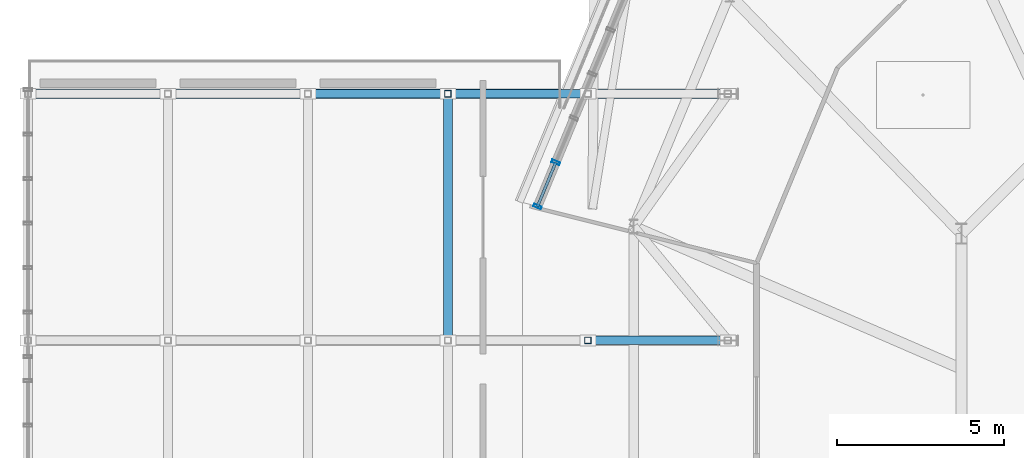
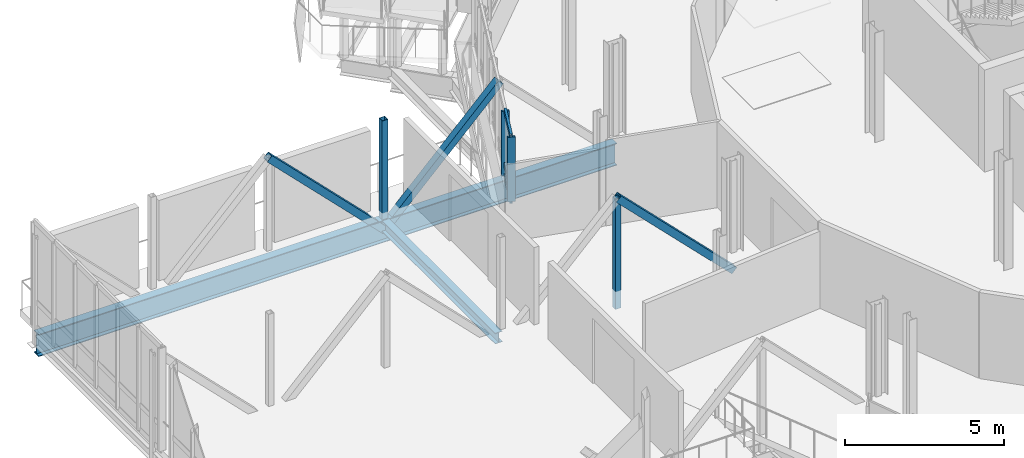
# One storey, part 42 of 107: 10 members, 2 beams, 1 element without a shape of its own.
"""IFC4 building model written with IfcOpenShell, lengths in metres."""

from ifc_helpers import new_model, si_unit, derived_unit, direction, frame, origin, origin_2d, place, context, subcontext, project, spatial, hollow_rectangle, i_section, extrude, material, layer, layer_set, material_profile, profile_set, type_object, element, aggregate, save


model = new_model("IFC4")

# Units and contexts
model_context = context("Model", 3, precision=1e-05, world=origin(), true_north=direction((0.0, 1.0)))
body_context = subcontext(model_context, "Body", "Model", "MODEL_VIEW")
ifc_project = project(units=[si_unit("LENGTHUNIT", "METRE"), si_unit("AREAUNIT", "SQUARE_METRE"), si_unit("VOLUMEUNIT", "CUBIC_METRE"), si_unit("PLANEANGLEUNIT", "RADIAN"), si_unit("MASSUNIT", "GRAM", prefix="KILO"), derived_unit("THERMALTRANSMITTANCEUNIT", [(si_unit("MASSUNIT", "GRAM", prefix="KILO"), 1), (si_unit("TIMEUNIT", "SECOND"), -3), (si_unit("THERMODYNAMICTEMPERATUREUNIT", "KELVIN"), -1)])], contexts=[model_context])

# Site, building, storey
site_placement = place(None, origin())
site = spatial("IfcSite", under=ifc_project, at=site_placement, CompositionType="ELEMENT")
building_placement = place(site_placement, origin())
building = spatial("IfcBuilding", under=site, at=building_placement, Name="Makaiwela Harbour Ferry Terminal", CompositionType="ELEMENT")
storey_placement = place(building_placement, frame((0.0, 0.0, 9.60009765625)))
storey = spatial("IfcBuildingStorey", under=building, at=storey_placement, Name="L02", CompositionType="ELEMENT", Elevation=9.60009765625)

# Curtain wall, members
ifc_material_1 = material(Name="Marine anodised aluminium 6063-T6", Category="aluminium")
ifc_layer = layer(ifc_material_1, 0.199951171875)
ifc_layer_set = layer_set([ifc_layer], Name="Marine anodised aluminium 6063-T6")
curtain_wall_type = type_object("IfcCurtainWallType", Name="ENV-CW-04", PredefinedType="USERDEFINED", material=ifc_layer_set)
curtain_wall_placement = place(storey_placement, origin())
curtain_wall = element("IfcCurtainWall", 1, at=curtain_wall_placement, inside=storey, type_object=curtain_wall_type, Name="Unitised Curtain Wall CWA-024", ObjectType="UNITIZED CURTAIN WALL", PredefinedType="USERDEFINED")
ifc_material_profile_1 = material_profile(ifc_material_1, hollow_rectangle(XDim=0.0849609375, YDim=0.25, WallThickness=0.0048828125, at=origin_2d()), Name="CWM-250X85")
ifc_profile_set_1 = profile_set([ifc_material_profile_1], Name="Marine anodised aluminium 6063-T6")
member_type_1 = type_object("IfcMemberType", Name="CW-MUL-250", PredefinedType="MULLION", material=ifc_profile_set_1)
member_1_placement = place(storey_placement, frame((15.836669921875, 73.793212890625, 1.47998046875), z_axis=(0.0, 0.0, 1.0), x_axis=(0.382683432365, 0.923879532511, 0.0)))
member_1 = element("IfcMember", 2, at=member_1_placement, type_object=member_type_1, Name="Curtain Wall Mullion CWA-024-6", PredefinedType="MULLION", context=body_context, shape_type="SweptSolid", body=[
    extrude(hollow_rectangle(XDim=0.0849609375, YDim=0.25, WallThickness=0.0048828125, at=origin_2d()), origin(), (0.0, 0.0, 1.0), 2.47998046875),
])
member_2_placement = place(storey_placement, frame((15.2880859375, 72.46875, 1.47998046875), z_axis=(0.0, 0.0, 1.0), x_axis=(0.382683432365, 0.923879532511, 0.0)))
member_2 = element("IfcMember", 3, at=member_2_placement, type_object=member_type_1, Name="Curtain Wall Mullion CWA-024-7", PredefinedType="MULLION", context=body_context, shape_type="SweptSolid", body=[
    extrude(hollow_rectangle(XDim=0.0849609375, YDim=0.25, WallThickness=0.0048828125, at=origin_2d()), origin(), (0.0, 0.0, 1.0), 2.47998046875),
])
ifc_material_profile_2 = material_profile(ifc_material_1, hollow_rectangle(XDim=0.0849609375, YDim=0.199951171875, WallThickness=0.0048828125, at=origin_2d()), Name="CWT-200X85")
ifc_profile_set_2 = profile_set([ifc_material_profile_2], Name="Marine anodised aluminium 6063-T6")
member_type_2 = type_object("IfcMemberType", Name="CW-TRN-200", PredefinedType="USERDEFINED", material=ifc_profile_set_2)
member_3_placement = place(storey_placement, frame((15.836669921875, 73.793212890625, 1.47998046875), z_axis=(-0.382667649558, -0.923886069806, 0.0), x_axis=(0.923886069806, -0.382667649558, 0.0)))
member_3 = element("IfcMember", 4, at=member_3_placement, type_object=member_type_2, Name="Curtain Wall Transom CWA-024-6-1", ObjectType="TRANSOM", PredefinedType="USERDEFINED", context=body_context, shape_type="SweptSolid", body=[
    extrude(hollow_rectangle(XDim=0.0849609375, YDim=0.199951171875, WallThickness=0.0048828125, at=origin_2d()), origin(), (0.0, 0.0, 1.0), 1.43359375),
])
member_4_placement = place(storey_placement, frame((15.836669921875, 73.793212890625, 1.89990234375), z_axis=(-0.382667649558, -0.923886069806, 0.0), x_axis=(0.923886069806, -0.382667649558, 0.0)))
member_4 = element("IfcMember", 5, at=member_4_placement, type_object=member_type_2, Name="Curtain Wall Transom CWA-024-6-2", ObjectType="TRANSOM", PredefinedType="USERDEFINED", context=body_context, shape_type="SweptSolid", body=[
    extrude(hollow_rectangle(XDim=0.0849609375, YDim=0.199951171875, WallThickness=0.0048828125, at=origin_2d()), origin(), (0.0, 0.0, 1.0), 1.43359375),
])
member_5_placement = place(storey_placement, frame((15.836669921875, 73.793212890625, 3.9599609375), z_axis=(-0.382667649558, -0.923886069806, 0.0), x_axis=(0.923886069806, -0.382667649558, 0.0)))
member_5 = element("IfcMember", 6, at=member_5_placement, type_object=member_type_2, Name="Curtain Wall Transom CWA-024-6-3", ObjectType="TRANSOM", PredefinedType="USERDEFINED", context=body_context, shape_type="SweptSolid", body=[
    extrude(hollow_rectangle(XDim=0.0849609375, YDim=0.199951171875, WallThickness=0.0048828125, at=origin_2d()), origin(), (0.0, 0.0, 1.0), 1.43359375),
])
aggregate(curtain_wall, [member_1, member_2, member_3, member_4, member_5])

# Members
ifc_material_2 = material(Name="Steel ASTM A500 Grade C", Category="steel")
ifc_material_profile_3 = material_profile(ifc_material_2, hollow_rectangle(XDim=0.25390625, YDim=0.25390625, WallThickness=0.0146484375, at=origin_2d()), Name="HSS10X10X5/8")
ifc_profile_set_3 = profile_set([ifc_material_profile_3], Name="Steel ASTM A500 Grade C")
member_type_3 = type_object("IfcMemberType", Name="STR-BRC-HSS10", PredefinedType="BRACE", material=ifc_profile_set_3)
for number, where, z_axis, x_axis, name in (
    (7, (21.0, 68.449951171875, -0.685546875), (-0.705423542875, 0.0, 0.708786022124), (0.0, -1.0, 0.0), "Structural Member BR-01"),
    (8, (16.800048828125, 75.85009765625, 3.534423828125), (-0.705423542875, 0.0, -0.708786022124), (0.0, -1.0, 0.0), "Structural Member BR-01"),
    (9, (12.60009765625, 75.85009765625, -0.685546875), (-0.7054441424, 0.0, 0.708765519727), (0.0, -1.0, 0.0), "Structural Member BR-01"),
):
    element("IfcMember", number, at=place(storey_placement, frame(where, z_axis=z_axis, x_axis=x_axis)), inside=storey, type_object=member_type_3, Name=name, PredefinedType="BRACE", context=body_context, shape_type="SweptSolid", body=[
        extrude(hollow_rectangle(XDim=0.25390625, YDim=0.25390625, WallThickness=0.0146484375, at=origin_2d()), origin(), (0.0, 0.0, 1.0), 5.953857421875),
    ])

# Beams
ifc_material_3 = material(Name="Steel ASTM A992 Grade 50", Category="steel")
ifc_material_profile_4 = material_profile(ifc_material_3, i_section(OverallWidth=0.2939453125, OverallDepth=0.85107421875, WebThickness=0.01611328125, FlangeThickness=0.02685546875, at=origin_2d()), Name="W33X152")
ifc_profile_set_4 = profile_set([ifc_material_profile_4], Name="Steel ASTM A992 Grade 50")
beam_type_1 = type_object("IfcBeamType", Name="STR-GRD-W33X152", PredefinedType="USERDEFINED", material=ifc_profile_set_4)
beam_1_placement = place(storey_placement, frame((0.0, 75.85009765625, -0.685546875), z_axis=(1.0, 0.0, 0.0), x_axis=(0.0, 1.0, 0.0)))
element("IfcBeam", 10, at=beam_1_placement, inside=storey, type_object=beam_type_1, Name="West bridge truss middle chord 3", ObjectType="GIRDER", PredefinedType="USERDEFINED", context=body_context, shape_type="SweptSolid", body=[
    extrude(i_section(OverallWidth=0.2939453125, OverallDepth=0.85107421875, WebThickness=0.01611328125, FlangeThickness=0.02685546875, at=origin_2d()), origin(), (0.0, 0.0, 1.0), 21.0),
])
ifc_material_profile_5 = material_profile(ifc_material_3, i_section(OverallWidth=0.260986328125, OverallDepth=0.4189453125, WebThickness=0.01171875, FlangeThickness=0.019287109375, at=origin_2d()), Name="W16X77")
ifc_profile_set_5 = profile_set([ifc_material_profile_5], Name="Steel ASTM A992 Grade 50")
beam_type_2 = type_object("IfcBeamType", Name="STR-JST-W16X77", PredefinedType="JOIST", material=ifc_profile_set_5)
beam_2_placement = place(storey_placement, frame((12.60009765625, 68.591064453125, -0.469482421875), z_axis=(0.0, 1.0, 0.0), x_axis=(-1.0, 0.0, 0.0)))
element("IfcBeam", 11, at=beam_2_placement, inside=storey, type_object=beam_type_2, Name="Structural Beam J-02", PredefinedType="JOIST", context=body_context, shape_type="SweptSolid", body=[
    extrude(i_section(OverallWidth=0.260986328125, OverallDepth=0.4189453125, WebThickness=0.01171875, FlangeThickness=0.019287109375, at=origin_2d()), origin(), (0.0, 0.0, 1.0), 7.117919921875),
])

# Members
ifc_material_profile_6 = material_profile(ifc_material_2, hollow_rectangle(XDim=0.202880859375, YDim=0.202880859375, WallThickness=0.01171875, at=origin_2d()), Name="HSS8X8X1/2")
ifc_profile_set_6 = profile_set([ifc_material_profile_6], Name="Steel ASTM A500 Grade C")
member_type_4 = type_object("IfcMemberType", Name="STR-PST-HSS8", PredefinedType="POST", material=ifc_profile_set_6)
for number, where, z_axis, x_axis, name in (
    (12, (16.800048828125, 68.449951171875, -0.685546875), (0.0, 0.0, 1.0), (1.0, 0.0, 0.0), "Structural Member PS-01"),
    (13, (12.60009765625, 75.85009765625, -0.685546875), (0.0, 0.0, 1.0), (1.0, 0.0, 0.0), "Structural Member PS-01"),
):
    element("IfcMember", number, at=place(storey_placement, frame(where, z_axis=z_axis, x_axis=x_axis)), inside=storey, type_object=member_type_4, Name=name, PredefinedType="POST", context=body_context, shape_type="SweptSolid", body=[
        extrude(hollow_rectangle(XDim=0.202880859375, YDim=0.202880859375, WallThickness=0.01171875, at=origin_2d()), origin(), (0.0, 0.0, 1.0), 4.219970703125),
    ])

save(model, "model.ifc")
